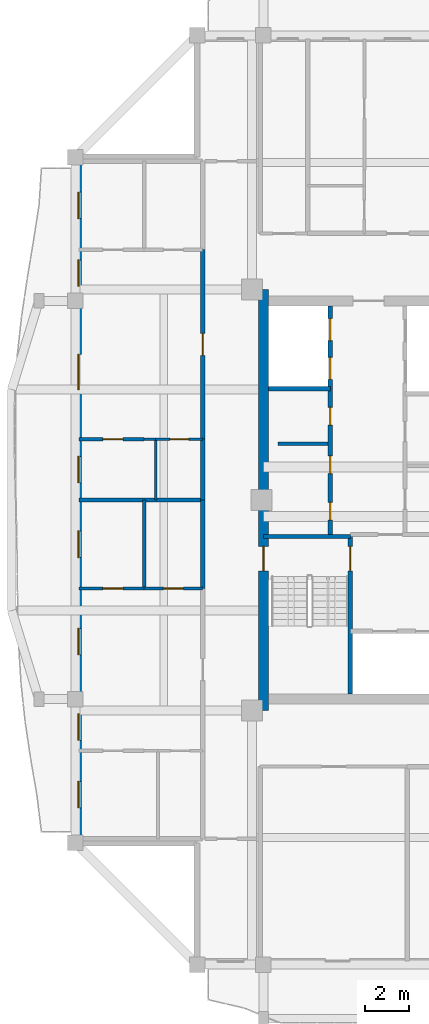
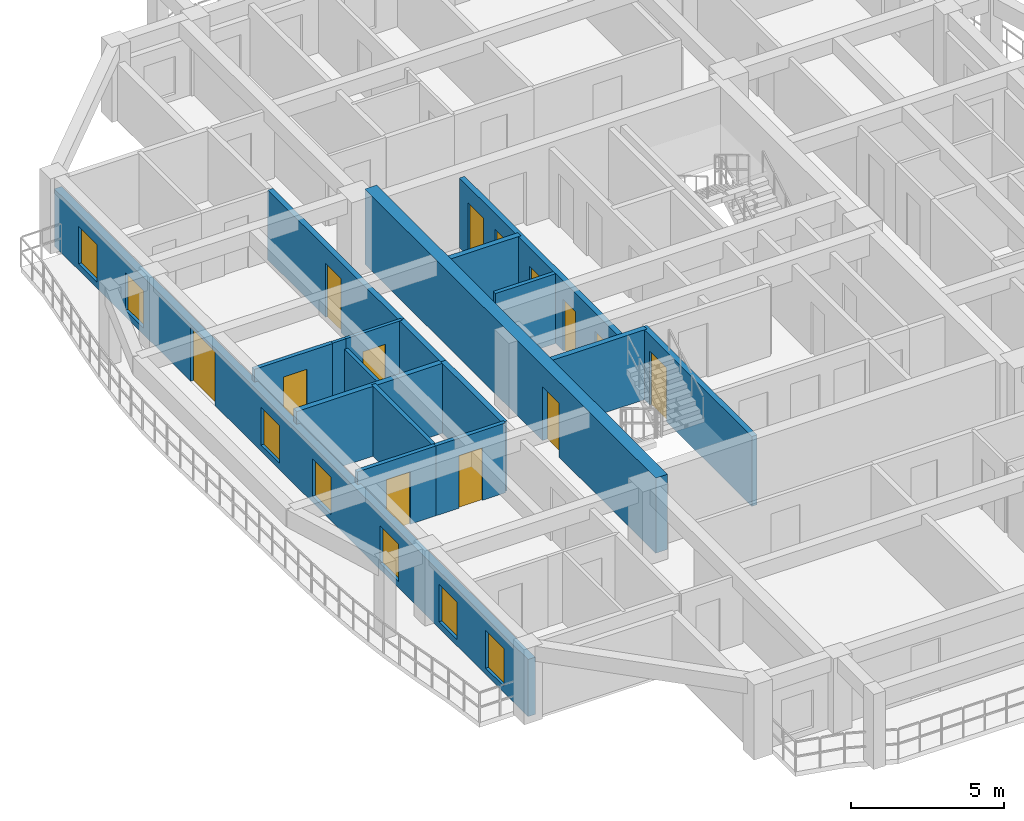
# One storey, part 3 of 12: 18 walls, 13 doors, 7 windows, 20 openings.
"""IFC4 building model written with IfcOpenShell, lengths in metres."""

from ifc_helpers import new_model, si_unit, direction, frame, frame_2d, origin, place, context, subcontext, project, spatial, rectangle, extrude, source, transform, mapped, material, layer, layer_set, type_object, element, fill, save


model = new_model("IFC4")

# Units and contexts
model_context = context("Model", 3, precision=1e-05, world=origin(), true_north=direction((0.0, 1.0)))
body_context = subcontext(model_context, "Body", "Model", "MODEL_VIEW")
ifc_project = project(units=[si_unit("LENGTHUNIT", "METRE"), si_unit("AREAUNIT", "SQUARE_METRE"), si_unit("VOLUMEUNIT", "CUBIC_METRE"), si_unit("PLANEANGLEUNIT", "RADIAN"), si_unit("MASSUNIT", "GRAM", prefix="KILO")], contexts=[model_context])

# Site, building, storey
site_placement = place(None, origin())
site = spatial("IfcSite", under=ifc_project, at=site_placement, CompositionType="ELEMENT")
building_placement = place(site_placement, origin())
building = spatial("IfcBuilding", under=site, at=building_placement, Name="Saelheon Loggia Tower", CompositionType="ELEMENT")
storey_placement = place(building_placement, frame((0.0, 0.0, 243.0)))
storey = spatial("IfcBuildingStorey", under=building, at=storey_placement, Name="L75", CompositionType="ELEMENT", Elevation=243.0)

# Wall, opening, door
ifc_material_1 = material(Name="Concrete C45/55", Category="concrete")
ifc_layer_1 = layer(ifc_material_1, 0.449951171875)
ifc_layer_set_1 = layer_set([ifc_layer_1], Name="Concrete C45/55")
wall_type_1 = type_object("IfcWallType", Name="Wall_CoreShear_450", PredefinedType="SHEAR", material=ifc_layer_set_1)
wall_1_placement = place(storey_placement, frame((31.5, 17.47998046875, 0.0), z_axis=(0.0, 0.0, 1.0), x_axis=(0.0, 1.0, 0.0)))
wall_1 = element("IfcWall", 1, at=wall_1_placement, inside=storey, type_object=wall_type_1, Name="L75 Core Shear Wall West", PredefinedType="SHEAR", context=body_context, shape_type="SweptSolid", body=[
    extrude(rectangle(XDim=19.0400390625, YDim=0.449951171875, at=frame_2d((9.52001953125, 0.0))), origin(), (0.0, 0.0, 1.0), 3.0),
])
opening_1_placement = place(wall_1_placement, frame((6.320068359375, 0.0, 0.0)))
opening_1 = element("IfcOpeningElement", 2, at=opening_1_placement, cuts=wall_1, Name="Opening D-FD2", PredefinedType="OPENING", context=body_context, shape_type="SweptSolid", body=[
    extrude(rectangle(XDim=1.10009765625, YDim=2.14990234375, at=frame_2d((0.550048828125, 1.074951171875))), frame((0.0, 0.237060546875, 0.0), z_axis=(0.0, -1.0, 0.0), x_axis=(1.0, 0.0, 0.0)), (0.0, 0.0, 1.0), 0.473876953125),
])
ifc_material_2 = material(Name="Galvanised Steel Fire Door", Category="steel")
door_type_1 = type_object("IfcDoorType", Name="Door_Fire_FD60_1100", OperationType="NOTDEFINED", PredefinedType="DOOR", material=ifc_material_2)
shared_shape_1 = source(origin(), body_context, "Body", "SweptSolid", [
    extrude(rectangle(XDim=1.10009765625, YDim=2.14990234375, at=frame_2d((0.550048828125, 1.074951171875))), frame((0.0, 0.02490234375, 0.0), z_axis=(0.0, -1.0, 0.0), x_axis=(1.0, 0.0, 0.0)), (0.0, 0.0, 1.0), 0.050048828125),
])
door_1_placement = place(opening_1_placement, origin())
door_1 = element("IfcDoor", 3, at=door_1_placement, inside=storey, type_object=door_type_1, Name="L75 Stair ST1 Corridor Door", OperationType="SINGLE_SWING_LEFT", OverallHeight=2.14990234375, OverallWidth=1.10009765625, PredefinedType="DOOR", context=body_context, shape_type="MappedRepresentation", body=[
    mapped(shared_shape_1, transform((0.0, 0.0, 0.0), scale=1.0)),
])
fill(opening_1, door_1)

# Wall, openings, windows, door
ifc_material_3 = material(Name="Architectural Precast Concrete C40/50", Category="concrete")
ifc_layer_2 = layer(ifc_material_3, 0.280029296875)
ifc_layer_set_2 = layer_set([ifc_layer_2], Name="Architectural Precast Concrete C40/50")
wall_type_2 = type_object("IfcWallType", Name="Wall_Ext_Loggia_280", PredefinedType="SOLIDWALL", material=ifc_layer_set_2)
wall_2_placement = place(storey_placement, frame((23.139892578125, 11.5, 0.0), z_axis=(0.0, 0.0, 1.0), x_axis=(0.0, 1.0, 0.0)))
wall_2 = element("IfcWall", 4, at=wall_2_placement, inside=storey, type_object=wall_type_2, Name="L75 West Loggia Inner Wall", PredefinedType="SOLIDWALL", context=body_context, shape_type="SweptSolid", body=[
    extrude(rectangle(XDim=31.0, YDim=0.280029296875, at=frame_2d((15.5, 0.0))), origin(), (0.0, 0.0, 1.0), 2.280029296875),
])
opening_2_placement = place(wall_2_placement, frame((1.57666015625, 0.0, 0.25)))
opening_2 = element("IfcOpeningElement", 5, at=opening_2_placement, cuts=wall_2, Name="Opening WN-03", PredefinedType="OPENING", context=body_context, shape_type="SweptSolid", body=[
    extrude(rectangle(XDim=1.199951171875, YDim=1.5, at=frame_2d((0.60009765625, 0.75))), frame((0.0, 0.152099609375, 0.0), z_axis=(0.0, -1.0, 0.0), x_axis=(1.0, 0.0, 0.0)), (0.0, 0.0, 1.0), 0.303955078125),
])
opening_3_placement = place(wall_2_placement, frame((4.63671875, 0.0, 0.25)))
opening_3 = element("IfcOpeningElement", 6, at=opening_3_placement, cuts=wall_2, Name="Opening WN-03", PredefinedType="OPENING", context=body_context, shape_type="SweptSolid", body=[
    extrude(rectangle(XDim=1.199951171875, YDim=1.5, at=frame_2d((0.60009765625, 0.75))), frame((0.0, 0.152099609375, 0.0), z_axis=(0.0, -1.0, 0.0), x_axis=(1.0, 0.0, 0.0)), (0.0, 0.0, 1.0), 0.303955078125),
])
opening_4_placement = place(wall_2_placement, frame((8.4951171875, 0.0, 0.25)))
opening_4 = element("IfcOpeningElement", 7, at=opening_4_placement, cuts=wall_2, Name="Opening WN-03", PredefinedType="OPENING", context=body_context, shape_type="SweptSolid", body=[
    extrude(rectangle(XDim=1.199951171875, YDim=1.5, at=frame_2d((0.60009765625, 0.75))), frame((0.0, 0.152099609375, 0.0), z_axis=(0.0, -1.0, 0.0), x_axis=(1.0, 0.0, 0.0)), (0.0, 0.0, 1.0), 0.303955078125),
])
opening_5_placement = place(wall_2_placement, frame((12.89990234375, 0.0, 0.25)))
opening_5 = element("IfcOpeningElement", 8, at=opening_5_placement, cuts=wall_2, Name="Opening WN-03", PredefinedType="OPENING", context=body_context, shape_type="SweptSolid", body=[
    extrude(rectangle(XDim=1.199951171875, YDim=1.5, at=frame_2d((0.60009765625, 0.75))), frame((0.0, 0.152099609375, 0.0), z_axis=(0.0, -1.0, 0.0), x_axis=(1.0, 0.0, 0.0)), (0.0, 0.0, 1.0), 0.303955078125),
])
opening_6_placement = place(wall_2_placement, frame((16.27490234375, 0.0, 0.25)))
opening_6 = element("IfcOpeningElement", 9, at=opening_6_placement, cuts=wall_2, Name="Opening WN-03", PredefinedType="OPENING", context=body_context, shape_type="SweptSolid", body=[
    extrude(rectangle(XDim=1.199951171875, YDim=1.5, at=frame_2d((0.60009765625, 0.75))), frame((0.0, 0.152099609375, 0.0), z_axis=(0.0, -1.0, 0.0), x_axis=(1.0, 0.0, 0.0)), (0.0, 0.0, 1.0), 0.303955078125),
])
opening_7_placement = place(wall_2_placement, frame((20.47998046875, 0.0, 0.0)))
opening_7 = element("IfcOpeningElement", 10, at=opening_7_placement, cuts=wall_2, Name="Opening DLG-1", PredefinedType="OPENING", context=body_context, shape_type="SweptSolid", body=[
    extrude(rectangle(XDim=1.60009765625, YDim=2.14990234375, at=frame_2d((0.800048828125, 1.074951171875))), frame((0.0, 0.152099609375, 0.0), z_axis=(0.0, -1.0, 0.0), x_axis=(1.0, 0.0, 0.0)), (0.0, 0.0, 1.0), 0.303955078125),
])
opening_8_placement = place(wall_2_placement, frame((25.155029296875, 0.0, 0.25)))
opening_8 = element("IfcOpeningElement", 11, at=opening_8_placement, cuts=wall_2, Name="Opening WN-03", PredefinedType="OPENING", context=body_context, shape_type="SweptSolid", body=[
    extrude(rectangle(XDim=1.199951171875, YDim=1.5, at=frame_2d((0.60009765625, 0.75))), frame((0.0, 0.152099609375, 0.0), z_axis=(0.0, -1.0, 0.0), x_axis=(1.0, 0.0, 0.0)), (0.0, 0.0, 1.0), 0.303955078125),
])
opening_9_placement = place(wall_2_placement, frame((28.215087890625, 0.0, 0.25)))
opening_9 = element("IfcOpeningElement", 12, at=opening_9_placement, cuts=wall_2, Name="Opening WN-03", PredefinedType="OPENING", context=body_context, shape_type="SweptSolid", body=[
    extrude(rectangle(XDim=1.199951171875, YDim=1.5, at=frame_2d((0.60009765625, 0.75))), frame((0.0, 0.152099609375, 0.0), z_axis=(0.0, -1.0, 0.0), x_axis=(1.0, 0.0, 0.0)), (0.0, 0.0, 1.0), 0.303955078125),
])
ifc_material_4 = material(Name="Thermal-Break Aluminium and Triple Low-E Glass", Category="aluminium")
window_type = type_object("IfcWindowType", Name="Win_Bedroom_1200x1500", PartitioningType="SINGLE_PANEL", PredefinedType="WINDOW", material=ifc_material_4)
shared_shape_2 = source(origin(), body_context, "Body", "SweptSolid", [
    extrude(rectangle(XDim=1.199951171875, YDim=1.5, at=frame_2d((0.60009765625, 0.75))), frame((0.0, 0.030029296875, 0.0), z_axis=(0.0, -1.0, 0.0), x_axis=(1.0, 0.0, 0.0)), (0.0, 0.0, 1.0), 0.06005859375),
])
window_1_placement = place(opening_2_placement, origin())
window_1 = element("IfcWindow", 13, at=window_1_placement, inside=storey, type_object=window_type, Name="L75 W Dwelling Window 1", OverallHeight=1.5, OverallWidth=1.199951171875, PartitioningType="SINGLE_PANEL", PredefinedType="WINDOW", context=body_context, shape_type="MappedRepresentation", body=[
    mapped(shared_shape_2, transform((0.0, 0.0, 0.0), scale=1.0)),
])
fill(opening_2, window_1)
window_2_placement = place(opening_3_placement, origin())
window_2 = element("IfcWindow", 14, at=window_2_placement, inside=storey, type_object=window_type, Name="L75 W Dwelling Window 2", OverallHeight=1.5, OverallWidth=1.199951171875, PartitioningType="SINGLE_PANEL", PredefinedType="WINDOW", context=body_context, shape_type="MappedRepresentation", body=[
    mapped(shared_shape_2, transform((0.0, 0.0, 0.0), scale=1.0)),
])
fill(opening_3, window_2)
window_3_placement = place(opening_4_placement, origin())
window_3 = element("IfcWindow", 15, at=window_3_placement, inside=storey, type_object=window_type, Name="L75 W Dwelling Window 3", OverallHeight=1.5, OverallWidth=1.199951171875, PartitioningType="SINGLE_PANEL", PredefinedType="WINDOW", context=body_context, shape_type="MappedRepresentation", body=[
    mapped(shared_shape_2, transform((0.0, 0.0, 0.0), scale=1.0)),
])
fill(opening_4, window_3)
window_4_placement = place(opening_5_placement, origin())
window_4 = element("IfcWindow", 16, at=window_4_placement, inside=storey, type_object=window_type, Name="L75 W Dwelling Window 4", OverallHeight=1.5, OverallWidth=1.199951171875, PartitioningType="SINGLE_PANEL", PredefinedType="WINDOW", context=body_context, shape_type="MappedRepresentation", body=[
    mapped(shared_shape_2, transform((0.0, 0.0, 0.0), scale=1.0)),
])
fill(opening_5, window_4)
window_5_placement = place(opening_6_placement, origin())
window_5 = element("IfcWindow", 17, at=window_5_placement, inside=storey, type_object=window_type, Name="L75 W Dwelling Window 5", OverallHeight=1.5, OverallWidth=1.199951171875, PartitioningType="SINGLE_PANEL", PredefinedType="WINDOW", context=body_context, shape_type="MappedRepresentation", body=[
    mapped(shared_shape_2, transform((0.0, 0.0, 0.0), scale=1.0)),
])
fill(opening_6, window_5)
window_6_placement = place(opening_8_placement, origin())
window_6 = element("IfcWindow", 18, at=window_6_placement, inside=storey, type_object=window_type, Name="L75 W Dwelling Window 7", OverallHeight=1.5, OverallWidth=1.199951171875, PartitioningType="SINGLE_PANEL", PredefinedType="WINDOW", context=body_context, shape_type="MappedRepresentation", body=[
    mapped(shared_shape_2, transform((0.0, 0.0, 0.0), scale=1.0)),
])
fill(opening_8, window_6)
window_7_placement = place(opening_9_placement, origin())
window_7 = element("IfcWindow", 19, at=window_7_placement, inside=storey, type_object=window_type, Name="L75 W Dwelling Window 8", OverallHeight=1.5, OverallWidth=1.199951171875, PartitioningType="SINGLE_PANEL", PredefinedType="WINDOW", context=body_context, shape_type="MappedRepresentation", body=[
    mapped(shared_shape_2, transform((0.0, 0.0, 0.0), scale=1.0)),
])
fill(opening_9, window_7)
ifc_material_5 = material(Name="Thermal-Break Aluminium Sliding Glazed Door", Category="aluminium")
door_type_2 = type_object("IfcDoorType", Name="Door_LoggiaSlide_1600", OperationType="SLIDING_TO_LEFT", PredefinedType="DOOR", material=ifc_material_5)
shared_shape_3 = source(origin(), body_context, "Body", "SweptSolid", [
    extrude(rectangle(XDim=1.60009765625, YDim=2.14990234375, at=frame_2d((0.800048828125, 1.074951171875))), frame((0.0, 0.02490234375, 0.0), z_axis=(0.0, -1.0, 0.0), x_axis=(1.0, 0.0, 0.0)), (0.0, 0.0, 1.0), 0.050048828125),
])
door_2_placement = place(opening_7_placement, origin())
door_2 = element("IfcDoor", 20, at=door_2_placement, inside=storey, type_object=door_type_2, Name="L75 W Loggia Access Door", OperationType="SLIDING_TO_LEFT", OverallHeight=2.14990234375, OverallWidth=1.60009765625, PredefinedType="DOOR", context=body_context, shape_type="MappedRepresentation", body=[
    mapped(shared_shape_3, transform((0.0, 0.0, 0.0), scale=1.0)),
])
fill(opening_7, door_2)

# Walls
ifc_material_6 = material(Name="Lightweight Autoclaved Aerated Concrete Block and Acoustic Gypsum", Category="concrete")
ifc_layer_3 = layer(ifc_material_6, 0.14990234375)
ifc_layer_set_3 = layer_set([ifc_layer_3], Name="Lightweight Autoclaved Aerated Concrete Block and Acoustic Gypsum")
wall_type_3 = type_object("IfcWallType", Name="Wall_Part_150", PredefinedType="PARTITIONING", material=ifc_layer_set_3)
wall_3_placement = place(storey_placement, frame((32.14990234375, 29.550048828125, 0.0), z_axis=(0.0, 0.0, 1.0), x_axis=(1.0, 0.0, 0.0)))
element("IfcWall", 21, at=wall_3_placement, inside=storey, type_object=wall_type_3, Name="L75 Freed Core Partition PL1", PredefinedType="PARTITIONING", context=body_context, shape_type="SweptSolid", body=[
    extrude(rectangle(XDim=2.27001953125, YDim=0.14990234375, at=frame_2d((1.135009765625, 0.0))), origin(), (0.0, 0.0, 1.0), 2.7900390625),
])
wall_4_placement = place(storey_placement, frame((26.110107421875, 23.0, 0.0), z_axis=(0.0, 0.0, 1.0), x_axis=(0.0, 1.0, 0.0)))
element("IfcWall", 22, at=wall_4_placement, inside=storey, type_object=wall_type_3, Name="L75 W Partition V07", PredefinedType="PARTITIONING", context=body_context, shape_type="SweptSolid", body=[
    extrude(rectangle(XDim=4.0, YDim=0.14990234375, at=frame_2d((2.0, 0.0))), origin(), (0.0, 0.0, 1.0), 2.7900390625),
])

# Wall, opening, door
wall_5_placement = place(storey_placement, frame((28.75, 23.0, 0.0), z_axis=(0.0, 0.0, 1.0), x_axis=(-1.0, 0.0, 0.0)))
wall_5 = element("IfcWall", 23, at=wall_5_placement, inside=storey, type_object=wall_type_3, Name="L75 W Partition U11", PredefinedType="PARTITIONING", context=body_context, shape_type="SweptSolid", body=[
    extrude(rectangle(XDim=2.639892578125, YDim=0.14990234375, at=frame_2d((1.31982421875, 0.0))), origin(), (0.0, 0.0, 1.0), 2.7900390625),
])
opening_10_placement = place(wall_5_placement, frame((0.8701171875, 0.0, 0.0)))
opening_10 = element("IfcOpeningElement", 24, at=opening_10_placement, cuts=wall_5, Name="Opening D-IN2", PredefinedType="OPENING", context=body_context, shape_type="SweptSolid", body=[
    extrude(rectangle(XDim=0.89990234375, YDim=2.10009765625, at=frame_2d((0.449951171875, 1.050048828125))), frame((0.0, 0.0869140625, 0.0), z_axis=(0.0, -1.0, 0.0), x_axis=(1.0, 0.0, 0.0)), (0.0, 0.0, 1.0), 0.173828125),
])
ifc_material_7 = material(Name="Engineered Oak Flush Door", Category="timber")
door_type_3 = type_object("IfcDoorType", Name="Door_Int_900", OperationType="NOTDEFINED", PredefinedType="DOOR", material=ifc_material_7)
shared_shape_4 = source(origin(), body_context, "Body", "SweptSolid", [
    extrude(rectangle(XDim=0.89990234375, YDim=2.10009765625, at=frame_2d((0.449951171875, 1.050048828125))), frame((0.0, 0.02490234375, 0.0), z_axis=(0.0, -1.0, 0.0), x_axis=(1.0, 0.0, 0.0)), (0.0, 0.0, 1.0), 0.050048828125),
])
door_3_placement = place(opening_10_placement, origin())
door_3 = element("IfcDoor", 25, at=door_3_placement, inside=storey, type_object=door_type_3, Name="Unit U03 Kitchen Door", OperationType="SINGLE_SWING_LEFT", OverallHeight=2.10009765625, OverallWidth=0.89990234375, PredefinedType="DOOR", context=body_context, shape_type="MappedRepresentation", body=[
    mapped(shared_shape_4, transform((0.0, 0.0, 0.0), scale=1.0)),
])
fill(opening_10, door_3)

wall_6_placement = place(storey_placement, frame((26.110107421875, 23.0, 0.0), z_axis=(0.0, 0.0, 1.0), x_axis=(-1.0, 0.0, 0.0)))
wall_6 = element("IfcWall", 26, at=wall_6_placement, inside=storey, type_object=wall_type_3, Name="L75 W Partition U12", PredefinedType="PARTITIONING", context=body_context, shape_type="SweptSolid", body=[
    extrude(rectangle(XDim=2.960205078125, YDim=0.14990234375, at=frame_2d((1.47998046875, 0.0))), origin(), (0.0, 0.0, 1.0), 2.7900390625),
])
opening_11_placement = place(wall_6_placement, frame((0.964111328125, 0.0, 0.0)))
opening_11 = element("IfcOpeningElement", 27, at=opening_11_placement, cuts=wall_6, Name="Opening D-IN2", PredefinedType="OPENING", context=body_context, shape_type="SweptSolid", body=[
    extrude(rectangle(XDim=0.89990234375, YDim=2.10009765625, at=frame_2d((0.449951171875, 1.050048828125))), frame((0.0, 0.0869140625, 0.0), z_axis=(0.0, -1.0, 0.0), x_axis=(1.0, 0.0, 0.0)), (0.0, 0.0, 1.0), 0.173828125),
])
door_4_placement = place(opening_11_placement, origin())
door_4 = element("IfcDoor", 28, at=door_4_placement, inside=storey, type_object=door_type_3, Name="Unit U03 Bedroom 1 Door", OperationType="SINGLE_SWING_RIGHT", OverallHeight=2.10009765625, OverallWidth=0.89990234375, PredefinedType="DOOR", context=body_context, shape_type="MappedRepresentation", body=[
    mapped(shared_shape_4, transform((0.0, 0.0, 0.0), scale=1.0)),
])
fill(opening_11, door_4)

wall_7_placement = place(storey_placement, frame((26.110107421875, 29.75, 0.0), z_axis=(0.0, 0.0, 1.0), x_axis=(-1.0, 0.0, 0.0)))
wall_7 = element("IfcWall", 29, at=wall_7_placement, inside=storey, type_object=wall_type_3, Name="L75 W Partition U21", PredefinedType="PARTITIONING", context=body_context, shape_type="SweptSolid", body=[
    extrude(rectangle(XDim=2.960205078125, YDim=0.14990234375, at=frame_2d((1.47998046875, 0.0))), origin(), (0.0, 0.0, 1.0), 2.7900390625),
])
opening_12_placement = place(wall_7_placement, frame((0.964111328125, 0.0, 0.0)))
opening_12 = element("IfcOpeningElement", 30, at=opening_12_placement, cuts=wall_7, Name="Opening D-IN2", PredefinedType="OPENING", context=body_context, shape_type="SweptSolid", body=[
    extrude(rectangle(XDim=0.89990234375, YDim=2.10009765625, at=frame_2d((0.449951171875, 1.050048828125))), frame((0.0, 0.0869140625, 0.0), z_axis=(0.0, -1.0, 0.0), x_axis=(1.0, 0.0, 0.0)), (0.0, 0.0, 1.0), 0.173828125),
])
door_5_placement = place(opening_12_placement, origin())
door_5 = element("IfcDoor", 31, at=door_5_placement, inside=storey, type_object=door_type_3, Name="Unit U04 Kitchen Door", OperationType="SINGLE_SWING_LEFT", OverallHeight=2.10009765625, OverallWidth=0.89990234375, PredefinedType="DOOR", context=body_context, shape_type="MappedRepresentation", body=[
    mapped(shared_shape_4, transform((0.0, 0.0, 0.0), scale=1.0)),
])
fill(opening_12, door_5)

# Walls
ifc_material_8 = material(Name="Double Acoustic Stud and Fireboard Partition", Category="gypsum")
ifc_layer_4 = layer(ifc_material_8, 0.199951171875)
ifc_layer_set_4 = layer_set([ifc_layer_4], Name="Double Acoustic Stud and Fireboard Partition")
wall_type_4 = type_object("IfcWallType", Name="Wall_Party_200", PredefinedType="PARTITIONING", material=ifc_layer_set_4)
wall_8_placement = place(storey_placement, frame((28.75, 23.0, 0.0), z_axis=(0.0, 0.0, 1.0), x_axis=(0.0, 1.0, 0.0)))
element("IfcWall", 32, at=wall_8_placement, inside=storey, type_object=wall_type_4, Name="L75 W Partition V05", PredefinedType="PARTITIONING", context=body_context, shape_type="SweptSolid", body=[
    extrude(rectangle(XDim=4.0, YDim=0.199951171875, at=frame_2d((2.0, 0.0))), origin(), (0.0, 0.0, 1.0), 2.7900390625),
])
wall_9_placement = place(storey_placement, frame((28.75, 27.0, 0.0), z_axis=(0.0, 0.0, 1.0), x_axis=(-1.0, 0.0, 0.0)))
element("IfcWall", 33, at=wall_9_placement, inside=storey, type_object=wall_type_4, Name="L75 W Partition U13", PredefinedType="PARTITIONING", context=body_context, shape_type="SweptSolid", body=[
    extrude(rectangle(XDim=5.60009765625, YDim=0.199951171875, at=frame_2d((2.800048828125, 0.0))), origin(), (0.0, 0.0, 1.0), 2.7900390625),
])
wall_10_placement = place(storey_placement, frame((28.75, 27.0, 0.0), z_axis=(0.0, 0.0, 1.0), x_axis=(0.0, 1.0, 0.0)))
element("IfcWall", 34, at=wall_10_placement, inside=storey, type_object=wall_type_4, Name="L75 W Partition V14", PredefinedType="PARTITIONING", context=body_context, shape_type="SweptSolid", body=[
    extrude(rectangle(XDim=2.75, YDim=0.199951171875, at=frame_2d((1.375, 0.0))), origin(), (0.0, 0.0, 1.0), 2.7900390625),
])

# Wall, opening, door
wall_11_placement = place(storey_placement, frame((28.75, 29.75, 0.0), z_axis=(0.0, 0.0, 1.0), x_axis=(0.0, 1.0, 0.0)))
wall_11 = element("IfcWall", 35, at=wall_11_placement, inside=storey, type_object=wall_type_4, Name="L75 W Partition V15", PredefinedType="PARTITIONING", context=body_context, shape_type="SweptSolid", body=[
    extrude(rectangle(XDim=8.570068359375, YDim=0.199951171875, at=frame_2d((4.28515625, 0.0))), origin(), (0.0, 0.0, 1.0), 2.7900390625),
])
opening_13_placement = place(wall_11_placement, frame((3.784912109375, 0.0, 0.0)))
opening_13 = element("IfcOpeningElement", 36, at=opening_13_placement, cuts=wall_11, Name="Opening D-FD1", PredefinedType="OPENING", context=body_context, shape_type="SweptSolid", body=[
    extrude(rectangle(XDim=1.0, YDim=2.14990234375, at=frame_2d((0.5, 1.074951171875))), frame((0.0, 0.112060546875, 0.0), z_axis=(0.0, -1.0, 0.0), x_axis=(1.0, 0.0, 0.0)), (0.0, 0.0, 1.0), 0.223876953125),
])
ifc_material_9 = material(Name="Fire-Rated Engineered Timber Entrance Door", Category="wood")
door_type_4 = type_object("IfcDoorType", Name="Door_Flat_FD30S", OperationType="NOTDEFINED", PredefinedType="DOOR", material=ifc_material_9)
shared_shape_5 = source(origin(), body_context, "Body", "SweptSolid", [
    extrude(rectangle(XDim=1.0, YDim=2.14990234375, at=frame_2d((0.5, 1.074951171875))), frame((0.0, 0.02490234375, 0.0), z_axis=(0.0, -1.0, 0.0), x_axis=(1.0, 0.0, 0.0)), (0.0, 0.0, 1.0), 0.050048828125),
])
door_6_placement = place(opening_13_placement, origin())
door_6 = element("IfcDoor", 37, at=door_6_placement, inside=storey, type_object=door_type_4, Name="Unit U04 Entrance Door", OperationType="SINGLE_SWING_LEFT", OverallHeight=2.14990234375, OverallWidth=1.0, PredefinedType="DOOR", context=body_context, shape_type="MappedRepresentation", body=[
    mapped(shared_shape_5, transform((0.0, 0.0, 0.0), scale=1.0)),
])
fill(opening_13, door_6)

# Wall, openings, doors
ifc_material_10 = material(Name="Concrete C40/50", Category="concrete")
ifc_layer_5 = layer(ifc_material_10, 0.199951171875)
ifc_layer_set_5 = layer_set([ifc_layer_5], Name="Concrete C40/50")
wall_type_5 = type_object("IfcWallType", Name="Wall_Shaft_200", PredefinedType="PARTITIONING", material=ifc_layer_set_5)
wall_12_placement = place(storey_placement, frame((34.52001953125, 25.43994140625, 0.0), z_axis=(0.0, 0.0, 1.0), x_axis=(0.0, 1.0, 0.0)))
wall_12 = element("IfcWall", 38, at=wall_12_placement, inside=storey, type_object=wall_type_5, Name="L75 West Passenger Lift Bank Wall", PredefinedType="PARTITIONING", context=body_context, shape_type="SweptSolid", body=[
    extrude(rectangle(XDim=10.340087890625, YDim=0.199951171875, at=frame_2d((5.169921875, 0.0))), origin(), (0.0, 0.0, 1.0), 2.7900390625),
])
opening_14_placement = place(wall_12_placement, frame((0.64990234375, 0.0, 0.0)))
opening_14 = element("IfcOpeningElement", 39, at=opening_14_placement, cuts=wall_12, Name="Opening D-ST1", PredefinedType="OPENING", context=body_context, shape_type="SweptSolid", body=[
    extrude(rectangle(XDim=0.800048828125, YDim=2.050048828125, at=frame_2d((0.39990234375, 1.02490234375))), frame((0.0, 0.112060546875, 0.0), z_axis=(0.0, -1.0, 0.0), x_axis=(1.0, 0.0, 0.0)), (0.0, 0.0, 1.0), 0.223876953125),
])
opening_15_placement = place(wall_12_placement, frame((2.75, 0.0, 0.0)))
opening_15 = element("IfcOpeningElement", 40, at=opening_15_placement, cuts=wall_12, Name="Opening D-ST1", PredefinedType="OPENING", context=body_context, shape_type="SweptSolid", body=[
    extrude(rectangle(XDim=0.800048828125, YDim=2.050048828125, at=frame_2d((0.39990234375, 1.02490234375))), frame((0.0, 0.112060546875, 0.0), z_axis=(0.0, -1.0, 0.0), x_axis=(1.0, 0.0, 0.0)), (0.0, 0.0, 1.0), 0.223876953125),
])
opening_16_placement = place(wall_12_placement, frame((4.949951171875, 0.0, 0.0)))
opening_16 = element("IfcOpeningElement", 41, at=opening_16_placement, cuts=wall_12, Name="Opening D-ST1", PredefinedType="OPENING", context=body_context, shape_type="SweptSolid", body=[
    extrude(rectangle(XDim=0.800048828125, YDim=2.050048828125, at=frame_2d((0.39990234375, 1.02490234375))), frame((0.0, 0.112060546875, 0.0), z_axis=(0.0, -1.0, 0.0), x_axis=(1.0, 0.0, 0.0)), (0.0, 0.0, 1.0), 0.223876953125),
])
opening_17_placement = place(wall_12_placement, frame((7.010009765625, 0.0, 0.0)))
opening_17 = element("IfcOpeningElement", 42, at=opening_17_placement, cuts=wall_12, Name="Opening LD1", PredefinedType="OPENING", context=body_context, shape_type="SweptSolid", body=[
    extrude(rectangle(XDim=1.0, YDim=2.14990234375, at=frame_2d((0.5, 1.074951171875))), frame((0.0, 0.112060546875, 0.0), z_axis=(0.0, -1.0, 0.0), x_axis=(1.0, 0.0, 0.0)), (0.0, 0.0, 1.0), 0.223876953125),
])
opening_18_placement = place(wall_12_placement, frame((8.760009765625, 0.0, 0.0)))
opening_18 = element("IfcOpeningElement", 43, at=opening_18_placement, cuts=wall_12, Name="Opening LD1", PredefinedType="OPENING", context=body_context, shape_type="SweptSolid", body=[
    extrude(rectangle(XDim=1.0, YDim=2.14990234375, at=frame_2d((0.5, 1.074951171875))), frame((0.0, 0.112060546875, 0.0), z_axis=(0.0, -1.0, 0.0), x_axis=(1.0, 0.0, 0.0)), (0.0, 0.0, 1.0), 0.223876953125),
])
ifc_material_11 = material(Name="Brushed Stainless Steel 304 Landing Door", Category="steel")
door_type_5 = type_object("IfcDoorType", Name="Door_Lift_LD1", OperationType="DOUBLE_DOOR_SLIDING", PredefinedType="DOOR", material=ifc_material_11)
door_7_placement = place(opening_17_placement, origin())
door_7 = element("IfcDoor", 44, at=door_7_placement, inside=storey, type_object=door_type_5, Name="L75 PH1 Landing Door", OperationType="DOUBLE_DOOR_SLIDING", OverallHeight=2.14990234375, OverallWidth=1.0, PredefinedType="DOOR", context=body_context, shape_type="MappedRepresentation", body=[
    mapped(shared_shape_5, transform((0.0, 0.0, 0.0), scale=1.0)),
])
fill(opening_17, door_7)
door_8_placement = place(opening_18_placement, origin())
door_8 = element("IfcDoor", 45, at=door_8_placement, inside=storey, type_object=door_type_5, Name="L75 PH2 Landing Door", OperationType="DOUBLE_DOOR_SLIDING", OverallHeight=2.14990234375, OverallWidth=1.0, PredefinedType="DOOR", context=body_context, shape_type="MappedRepresentation", body=[
    mapped(shared_shape_5, transform((0.0, 0.0, 0.0), scale=1.0)),
])
fill(opening_18, door_8)
ifc_material_12 = material(Name="Powder-Coated Steel Store Door", Category="steel")
door_type_6 = type_object("IfcDoorType", Name="Door_Store_800", OperationType="NOTDEFINED", PredefinedType="DOOR", material=ifc_material_12)
shared_shape_6 = source(origin(), body_context, "Body", "SweptSolid", [
    extrude(rectangle(XDim=0.800048828125, YDim=2.050048828125, at=frame_2d((0.39990234375, 1.02490234375))), frame((0.0, 0.02490234375, 0.0), z_axis=(0.0, -1.0, 0.0), x_axis=(1.0, 0.0, 0.0)), (0.0, 0.0, 1.0), 0.050048828125),
])
door_9_placement = place(opening_14_placement, origin())
door_9 = element("IfcDoor", 46, at=door_9_placement, inside=storey, type_object=door_type_6, Name="L75 Telecom Store Door", OperationType="SINGLE_SWING_RIGHT", OverallHeight=2.050048828125, OverallWidth=0.800048828125, PredefinedType="DOOR", context=body_context, shape_type="MappedRepresentation", body=[
    mapped(shared_shape_6, transform((0.0, 0.0, 0.0), scale=1.0)),
])
fill(opening_14, door_9)
door_10_placement = place(opening_15_placement, origin())
door_10 = element("IfcDoor", 47, at=door_10_placement, inside=storey, type_object=door_type_6, Name="L75 Linen Closet Door", OperationType="SINGLE_SWING_LEFT", OverallHeight=2.050048828125, OverallWidth=0.800048828125, PredefinedType="DOOR", context=body_context, shape_type="MappedRepresentation", body=[
    mapped(shared_shape_6, transform((0.0, 0.0, 0.0), scale=1.0)),
])
fill(opening_15, door_10)
door_11_placement = place(opening_16_placement, origin())
door_11 = element("IfcDoor", 48, at=door_11_placement, inside=storey, type_object=door_type_6, Name="L75 Metering Store Door", OperationType="SINGLE_SWING_RIGHT", OverallHeight=2.050048828125, OverallWidth=0.800048828125, PredefinedType="DOOR", context=body_context, shape_type="MappedRepresentation", body=[
    mapped(shared_shape_6, transform((0.0, 0.0, 0.0), scale=1.0)),
])
fill(opening_16, door_11)

# Wall
wall_13_placement = place(storey_placement, frame((31.719970703125, 32.02001953125, 0.0), z_axis=(0.0, 0.0, 1.0), x_axis=(1.0, 0.0, 0.0)))
element("IfcWall", 49, at=wall_13_placement, inside=storey, type_object=wall_type_5, Name="L75 West High-Rise Shaft Divider", PredefinedType="PARTITIONING", context=body_context, shape_type="SweptSolid", body=[
    extrude(rectangle(XDim=2.800048828125, YDim=0.199951171875, at=frame_2d((1.39990234375, 0.0))), origin(), (0.0, 0.0, 1.0), 2.7900390625),
])

# Wall, opening, door
ifc_layer_6 = layer(ifc_material_1, 0.199951171875)
ifc_layer_set_6 = layer_set([ifc_layer_6], Name="Concrete C45/55")
wall_type_6 = type_object("IfcWallType", Name="Wall_StairShaft_RC200", PredefinedType="SOLIDWALL", material=ifc_layer_set_6)
wall_14_placement = place(storey_placement, frame((35.429931640625, 18.219970703125, 0.0), z_axis=(0.0, 0.0, 1.0), x_axis=(0.0, 1.0, 0.0)))
wall_14 = element("IfcWall", 50, at=wall_14_placement, inside=storey, type_object=wall_type_6, Name="L75 Stair ST1 Shaft Wall", PredefinedType="SOLIDWALL", context=body_context, shape_type="SweptSolid", body=[
    extrude(rectangle(XDim=7.219970703125, YDim=0.199951171875, at=frame_2d((3.60986328125, 0.0))), origin(), (0.0, 0.0, 1.0), 2.7900390625),
])
opening_19_placement = place(wall_14_placement, frame((6.68017578125, 0.0, 0.0), z_axis=(0.0, 0.0, 1.0), x_axis=(-1.0, 0.0, 0.0)))
opening_19 = element("IfcOpeningElement", 51, at=opening_19_placement, cuts=wall_14, Name="Opening D-FD2", PredefinedType="OPENING", context=body_context, shape_type="SweptSolid", body=[
    extrude(rectangle(XDim=1.10009765625, YDim=2.14990234375, at=frame_2d((0.550048828125, 1.074951171875))), frame((0.0, 0.112060546875, 0.0), z_axis=(0.0, -1.0, 0.0), x_axis=(1.0, 0.0, 0.0)), (0.0, 0.0, 1.0), 0.223876953125),
])
door_12_placement = place(opening_19_placement, origin())
door_12 = element("IfcDoor", 52, at=door_12_placement, inside=storey, type_object=door_type_1, Name="L75 Stair ST1 Lobby Door", OperationType="SINGLE_SWING_LEFT", OverallHeight=2.14990234375, OverallWidth=1.10009765625, PredefinedType="DOOR", context=body_context, shape_type="MappedRepresentation", body=[
    mapped(shared_shape_1, transform((0.0, 0.0, 0.0), scale=1.0)),
])
fill(opening_19, door_12)

# Walls
wall_15_placement = place(storey_placement, frame((31.5, 25.35009765625, 0.0), z_axis=(0.0, 0.0, 1.0), x_axis=(1.0, 0.0, 0.0)))
element("IfcWall", 53, at=wall_15_placement, inside=storey, type_object=wall_type_6, Name="L75 Stair ST1 North Wall", PredefinedType="SOLIDWALL", context=body_context, shape_type="SweptSolid", body=[
    extrude(rectangle(XDim=3.929931640625, YDim=0.199951171875, at=frame_2d((1.96484375, 0.0))), origin(), (0.0, 0.0, 1.0), 2.7900390625),
])
ifc_material_13 = material(Name="Moisture-Resistant Cement Board Partition", Category="gypsum")
ifc_layer_7 = layer(ifc_material_13, 0.1201171875)
ifc_layer_set_7 = layer_set([ifc_layer_7], Name="Moisture-Resistant Cement Board Partition")
wall_type_7 = type_object("IfcWallType", Name="Wall_WetPart_120", PredefinedType="PARTITIONING", material=ifc_layer_set_7)
wall_16_placement = place(storey_placement, frame((26.6298828125, 27.0, 0.0), z_axis=(0.0, 0.0, 1.0), x_axis=(0.0, 1.0, 0.0)))
element("IfcWall", 54, at=wall_16_placement, inside=storey, type_object=wall_type_7, Name="L75 W Partition V17", PredefinedType="PARTITIONING", context=body_context, shape_type="SweptSolid", body=[
    extrude(rectangle(XDim=2.75, YDim=0.1201171875, at=frame_2d((1.375, 0.0))), origin(), (0.0, 0.0, 1.0), 2.389892578125),
])

# Wall, opening, door
wall_17_placement = place(storey_placement, frame((28.75, 29.75, 0.0), z_axis=(0.0, 0.0, 1.0), x_axis=(-1.0, 0.0, 0.0)))
wall_17 = element("IfcWall", 55, at=wall_17_placement, inside=storey, type_object=wall_type_7, Name="L75 W Partition U19", PredefinedType="PARTITIONING", context=body_context, shape_type="SweptSolid", body=[
    extrude(rectangle(XDim=2.1201171875, YDim=0.1201171875, at=frame_2d((1.06005859375, 0.0))), origin(), (0.0, 0.0, 1.0), 2.7900390625),
])
opening_20_placement = place(wall_17_placement, frame((0.635009765625, 0.0, 0.0)))
opening_20 = element("IfcOpeningElement", 56, at=opening_20_placement, cuts=wall_17, Name="Opening D-BT1", PredefinedType="OPENING", context=body_context, shape_type="SweptSolid", body=[
    extrude(rectangle(XDim=0.85009765625, YDim=2.050048828125, at=frame_2d((0.425048828125, 1.02490234375))), frame((0.0, 0.072021484375, 0.0), z_axis=(0.0, -1.0, 0.0), x_axis=(1.0, 0.0, 0.0)), (0.0, 0.0, 1.0), 0.14404296875),
])
ifc_material_14 = material(Name="Moisture-Resistant Laminate Timber Door", Category="wood")
door_type_7 = type_object("IfcDoorType", Name="Door_Bath_850", OperationType="NOTDEFINED", PredefinedType="DOOR", material=ifc_material_14)
shared_shape_7 = source(origin(), body_context, "Body", "SweptSolid", [
    extrude(rectangle(XDim=0.85009765625, YDim=2.050048828125, at=frame_2d((0.425048828125, 1.02490234375))), frame((0.0, 0.02490234375, 0.0), z_axis=(0.0, -1.0, 0.0), x_axis=(1.0, 0.0, 0.0)), (0.0, 0.0, 1.0), 0.050048828125),
])
door_13_placement = place(opening_20_placement, origin())
door_13 = element("IfcDoor", 57, at=door_13_placement, inside=storey, type_object=door_type_7, Name="Unit U04 Bathroom Door", OperationType="SINGLE_SWING_RIGHT", OverallHeight=2.050048828125, OverallWidth=0.85009765625, PredefinedType="DOOR", context=body_context, shape_type="MappedRepresentation", body=[
    mapped(shared_shape_7, transform((0.0, 0.0, 0.0), scale=1.0)),
])
fill(opening_20, door_13)

# Wall
wall_18_placement = place(storey_placement, frame((26.6298828125, 29.75, 0.0), z_axis=(0.0, 0.0, 1.0), x_axis=(-1.0, 0.0, 0.0)))
element("IfcWall", 58, at=wall_18_placement, inside=storey, type_object=wall_type_7, Name="L75 W Partition U20", PredefinedType="PARTITIONING", context=body_context, shape_type="SweptSolid", body=[
    extrude(rectangle(XDim=0.519775390625, YDim=0.1201171875, at=frame_2d((0.259765625, 0.0))), origin(), (0.0, 0.0, 1.0), 2.7900390625),
])

save(model, "model.ifc")
